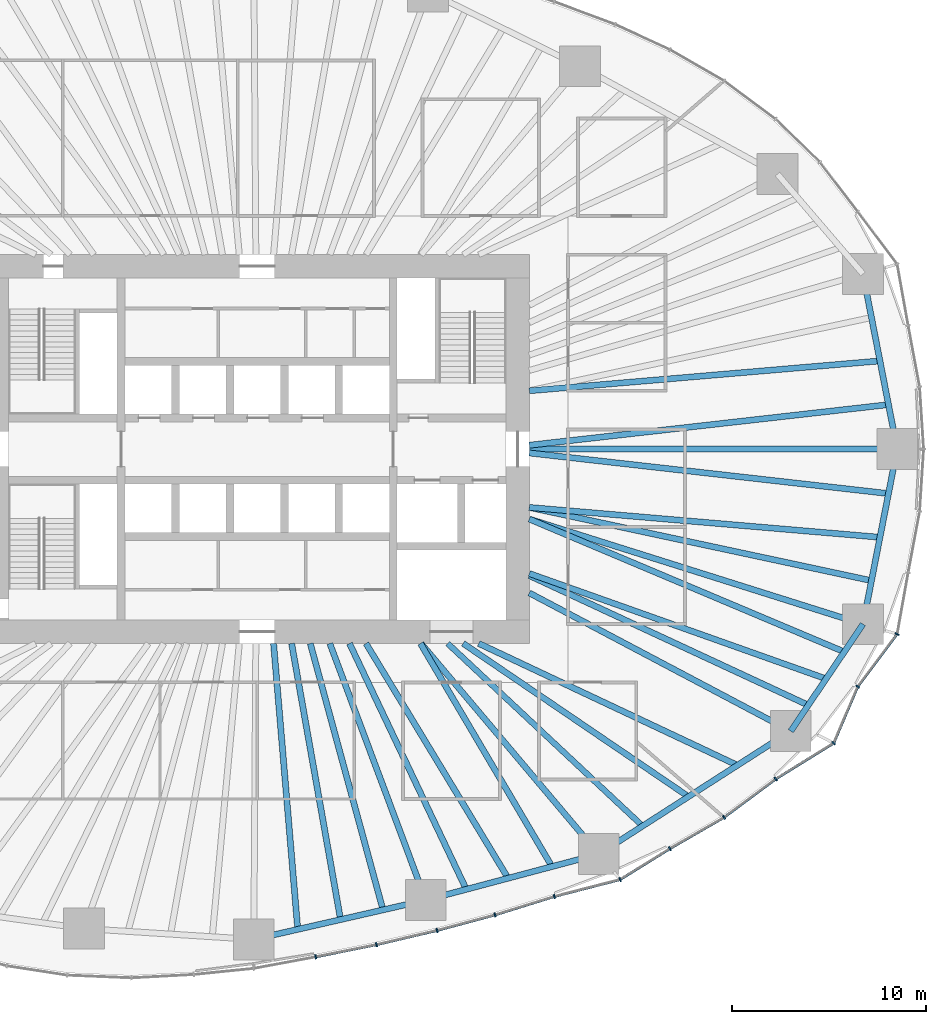
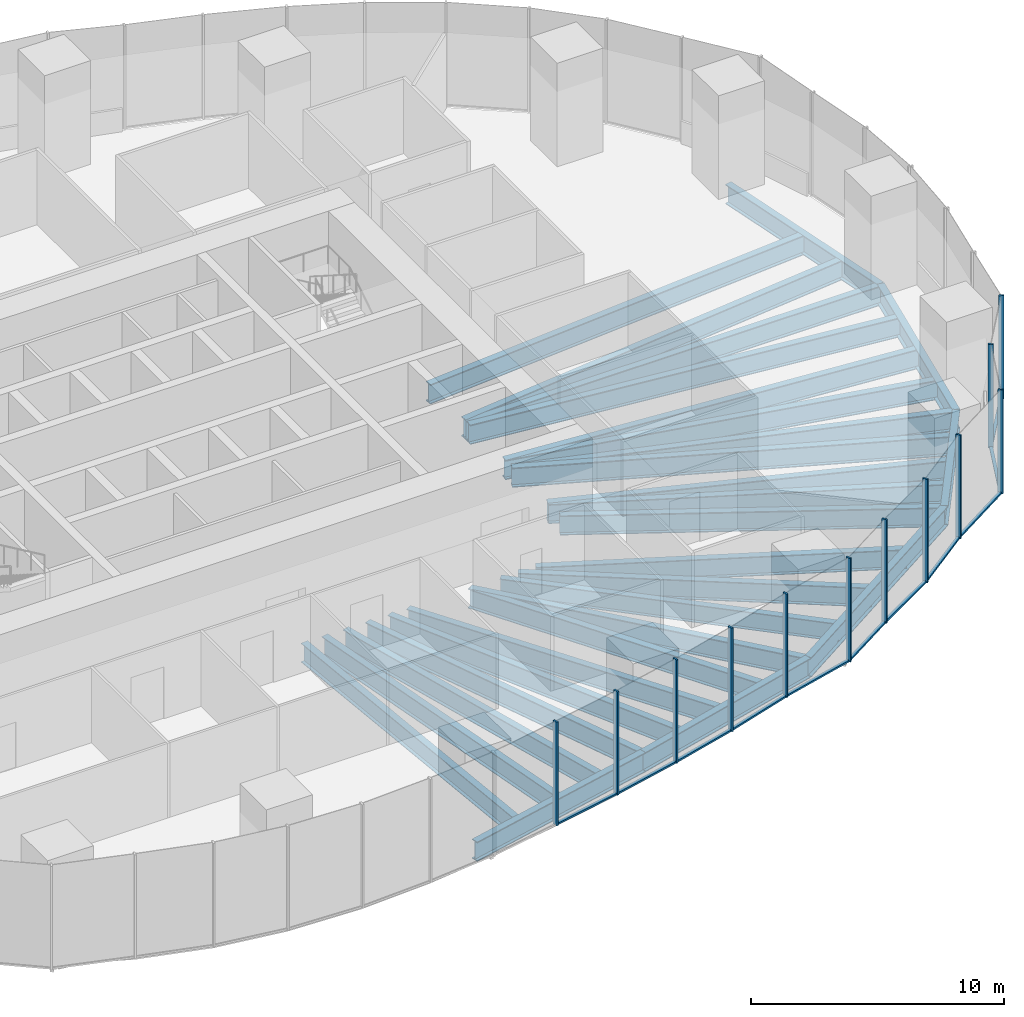
# One storey, part 4 of 20: 28 beams, 23 members, 5 elements without a shape of their own.
"""IFC4 building model written with IfcOpenShell, lengths in metres."""

from ifc_helpers import new_model, si_unit, direction, frame, origin, origin_2d, place, context, subcontext, project, spatial, rectangle, i_section, extrude, material, material_profile, profile_set, type_object, element, aggregate, save


model = new_model("IFC4")

# Units and contexts
model_context = context("Model", 3, precision=1e-05, world=origin(), true_north=direction((0.0, 1.0)))
body_context = subcontext(model_context, "Body", "Model", "MODEL_VIEW")
ifc_project = project(units=[si_unit("LENGTHUNIT", "METRE"), si_unit("AREAUNIT", "SQUARE_METRE"), si_unit("VOLUMEUNIT", "CUBIC_METRE"), si_unit("PLANEANGLEUNIT", "RADIAN"), si_unit("MASSUNIT", "GRAM", prefix="KILO")], contexts=[model_context])

# Site, building, storey
site_placement = place(None, origin())
site = spatial("IfcSite", under=ifc_project, at=site_placement, CompositionType="ELEMENT")
building_placement = place(site_placement, origin())
building = spatial("IfcBuilding", under=site, at=building_placement, Name="Ghaith Harvest Tower", CompositionType="ELEMENT")
storey_placement = place(building_placement, frame((0.0, 0.0, 20.0)))
storey = spatial("IfcBuildingStorey", under=building, at=storey_placement, Name="L04", CompositionType="ELEMENT", Elevation=20.0)

# Curtain wall, members
ifc_material_1 = material(Name="Black anodised aluminium and fritted glass", Category="aluminium")
curtain_wall_type = type_object("IfcCurtainWallType", Name="CW-F CURTAIN WALL", PredefinedType="NOTDEFINED", material=ifc_material_1)
curtain_wall_1_placement = place(storey_placement, origin())
curtain_wall_1 = element("IfcCurtainWall", 1, at=curtain_wall_1_placement, inside=storey, type_object=curtain_wall_type, Name="Curtain wall CW-F bay 16 L04", PredefinedType="NOTDEFINED")
ifc_material_2 = material(Name="Aluminium, black anodised", Category="aluminium")
ifc_material_profile_1 = material_profile(ifc_material_2, rectangle(XDim=0.080078125, YDim=0.219970703125, at=origin_2d()), Name="CW-F MULLION 80x220")
ifc_profile_set_1 = profile_set([ifc_material_profile_1], Name="Aluminium, black anodised")
member_type_1 = type_object("IfcMemberType", Name="CW-F MULLION 80x220", PredefinedType="MULLION", material=ifc_profile_set_1)
member_1_placement = place(storey_placement, frame((3.00927734375, -26.123291015625, 0.0), z_axis=(0.0, 0.0, 1.0), x_axis=(0.981818445714, 0.189822389762, 0.0)))
member_1 = element("IfcMember", 2, at=member_1_placement, type_object=member_type_1, Name="CW-F mullion 2 bay 16 L04", PredefinedType="MULLION", context=body_context, shape_type="SweptSolid", body=[
    extrude(rectangle(XDim=0.080078125, YDim=0.219970703125, at=origin_2d()), origin(), (0.0, 0.0, 1.0), 5.0),
])
member_2_placement = place(storey_placement, frame((6.136962890625, -25.495361328125, 0.0), z_axis=(0.0, 0.0, 1.0), x_axis=(0.977117973572, 0.212698062336, 0.0)))
member_2 = element("IfcMember", 3, at=member_2_placement, type_object=member_type_1, Name="CW-F mullion 3 bay 16 L04", PredefinedType="MULLION", context=body_context, shape_type="SweptSolid", body=[
    extrude(rectangle(XDim=0.080078125, YDim=0.219970703125, at=origin_2d()), origin(), (0.0, 0.0, 1.0), 5.0),
])

curtain_wall_2_placement = place(storey_placement, origin())
curtain_wall_2 = element("IfcCurtainWall", 4, at=curtain_wall_2_placement, inside=storey, type_object=curtain_wall_type, Name="Curtain wall CW-F bay 17 L04", PredefinedType="NOTDEFINED")
member_3_placement = place(storey_placement, frame((9.25732421875, -24.76318359375, 0.0), z_axis=(0.0, 0.0, 1.0), x_axis=(0.969903429248, 0.24348991341, 0.0)))
member_3 = element("IfcMember", 5, at=member_3_placement, type_object=member_type_1, Name="CW-F mullion 1 bay 17 L04", PredefinedType="MULLION", context=body_context, shape_type="SweptSolid", body=[
    extrude(rectangle(XDim=0.080078125, YDim=0.219970703125, at=origin_2d()), origin(), (0.0, 0.0, 1.0), 5.0),
])
member_4_placement = place(storey_placement, frame((12.234375, -23.964599609375, 0.0), z_axis=(0.0, 0.0, 1.0), x_axis=(0.960502189734, 0.278272426799, 0.0)))
member_4 = element("IfcMember", 6, at=member_4_placement, type_object=member_type_1, Name="CW-F mullion 2 bay 17 L04", PredefinedType="MULLION", context=body_context, shape_type="SweptSolid", body=[
    extrude(rectangle(XDim=0.080078125, YDim=0.219970703125, at=origin_2d()), origin(), (0.0, 0.0, 1.0), 5.0),
])
member_5_placement = place(storey_placement, frame((15.28759765625, -23.01611328125, 0.0), z_axis=(0.0, 0.0, 1.0), x_axis=(0.962313144018, 0.27194376781, 0.0)))
member_5 = element("IfcMember", 7, at=member_5_placement, type_object=member_type_1, Name="CW-F mullion 3 bay 17 L04", PredefinedType="MULLION", context=body_context, shape_type="SweptSolid", body=[
    extrude(rectangle(XDim=0.080078125, YDim=0.219970703125, at=origin_2d()), origin(), (0.0, 0.0, 1.0), 5.0),
])

curtain_wall_3_placement = place(storey_placement, origin())
curtain_wall_3 = element("IfcCurtainWall", 8, at=curtain_wall_3_placement, inside=storey, type_object=curtain_wall_type, Name="Curtain wall CW-F bay 18 L04", PredefinedType="NOTDEFINED")
member_6_placement = place(storey_placement, frame((18.674072265625, -22.144775390625, 0.0), z_axis=(0.0, 0.0, 1.0), x_axis=(0.923910199299, 0.382609387799, 0.0)))
member_6 = element("IfcMember", 9, at=member_6_placement, type_object=member_type_1, Name="CW-F mullion 1 bay 18 L04", PredefinedType="MULLION", context=body_context, shape_type="SweptSolid", body=[
    extrude(rectangle(XDim=0.080078125, YDim=0.219970703125, at=origin_2d()), origin(), (0.0, 0.0, 1.0), 5.0),
])
member_7_placement = place(storey_placement, frame((21.2353515625, -20.552978515625, 0.0), z_axis=(0.0, 0.0, 1.0), x_axis=(0.858140414942, 0.513415064293, 0.0)))
member_7 = element("IfcMember", 10, at=member_7_placement, type_object=member_type_1, Name="CW-F mullion 2 bay 18 L04", PredefinedType="MULLION", context=body_context, shape_type="SweptSolid", body=[
    extrude(rectangle(XDim=0.080078125, YDim=0.219970703125, at=origin_2d()), origin(), (0.0, 0.0, 1.0), 5.0),
])
member_8_placement = place(storey_placement, frame((24.018310546875, -18.947265625, 0.0), z_axis=(0.0, 0.0, 1.0), x_axis=(0.835443516838, 0.549576318788, 0.0)))
member_8 = element("IfcMember", 11, at=member_8_placement, type_object=member_type_1, Name="CW-F mullion 3 bay 18 L04", PredefinedType="MULLION", context=body_context, shape_type="SweptSolid", body=[
    extrude(rectangle(XDim=0.080078125, YDim=0.219970703125, at=origin_2d()), origin(), (0.0, 0.0, 1.0), 5.0),
])

curtain_wall_4_placement = place(storey_placement, origin())
curtain_wall_4 = element("IfcCurtainWall", 12, at=curtain_wall_4_placement, inside=storey, type_object=curtain_wall_type, Name="Curtain wall CW-F bay 19 L04", PredefinedType="NOTDEFINED")
member_9_placement = place(storey_placement, frame((26.673828125, -16.9755859375, 0.0), z_axis=(0.0, 0.0, 1.0), x_axis=(0.828002038115, 0.560725088504, 0.0)))
member_9 = element("IfcMember", 13, at=member_9_placement, type_object=member_type_1, Name="CW-F mullion 1 bay 19 L04", PredefinedType="MULLION", context=body_context, shape_type="SweptSolid", body=[
    extrude(rectangle(XDim=0.080078125, YDim=0.219970703125, at=origin_2d()), origin(), (0.0, 0.0, 1.0), 5.0),
])
member_10_placement = place(storey_placement, frame((29.659912109375, -15.126953125, 0.0), z_axis=(0.0, 0.0, 1.0), x_axis=(0.663604797505, 0.748083332743, 0.0)))
member_10 = element("IfcMember", 14, at=member_10_placement, type_object=member_type_1, Name="CW-F mullion 2 bay 19 L04", PredefinedType="MULLION", context=body_context, shape_type="SweptSolid", body=[
    extrude(rectangle(XDim=0.080078125, YDim=0.219970703125, at=origin_2d()), origin(), (0.0, 0.0, 1.0), 5.0),
])
member_11_placement = place(storey_placement, frame((30.896728515625, -12.215087890625, 0.0), z_axis=(0.0, 0.0, 1.0), x_axis=(0.5027946428, 0.864405892606, 0.0)))
member_11 = element("IfcMember", 15, at=member_11_placement, type_object=member_type_1, Name="CW-F mullion 3 bay 19 L04", PredefinedType="MULLION", context=body_context, shape_type="SweptSolid", body=[
    extrude(rectangle(XDim=0.080078125, YDim=0.219970703125, at=origin_2d()), origin(), (0.0, 0.0, 1.0), 5.0),
])

# Curtain wall, member
curtain_wall_5_placement = place(storey_placement, origin())
curtain_wall_5 = element("IfcCurtainWall", 16, at=curtain_wall_5_placement, inside=storey, type_object=curtain_wall_type, Name="Curtain wall CW-F bay 20 L04", PredefinedType="NOTDEFINED")
member_12_placement = place(storey_placement, frame((32.923583984375, -9.515625, 0.0), z_axis=(0.0, 0.0, 1.0), x_axis=(0.404701694001, 0.914448762301, 0.0)))
member_12 = element("IfcMember", 17, at=member_12_placement, type_object=member_type_1, Name="CW-F mullion 1 bay 20 L04", PredefinedType="MULLION", context=body_context, shape_type="SweptSolid", body=[
    extrude(rectangle(XDim=0.080078125, YDim=0.219970703125, at=origin_2d()), origin(), (0.0, 0.0, 1.0), 5.0),
])
aggregate(curtain_wall_5, [member_12])

# Member
ifc_material_3 = material(Name="Aluminium, black anodised", Category="aluminium")
ifc_material_profile_2 = material_profile(ifc_material_3, rectangle(XDim=0.139892578125, YDim=0.080078125, at=origin_2d()), Name="CW-F TRANSOM 140x80")
ifc_profile_set_2 = profile_set([ifc_material_profile_2], Name="Aluminium, black anodised")
member_type_2 = type_object("IfcMemberType", Name="CW-F TRANSOM 140x80", PredefinedType="USERDEFINED", material=ifc_profile_set_2)
member_13_placement = place(storey_placement, frame((3.04833984375, -26.115478515625, 0.0400390625), z_axis=(0.980432471193, 0.196855707129, 0.0), x_axis=(-0.196855707129, 0.980432471193, 0.0)))
member_13 = element("IfcMember", 18, at=member_13_placement, type_object=member_type_2, Name="CW-F transom 2 bay 16 L04", ObjectType="TRANSOM", PredefinedType="USERDEFINED", context=body_context, shape_type="SweptSolid", body=[
    extrude(rectangle(XDim=0.139892578125, YDim=0.080078125, at=origin_2d()), origin(), (0.0, 0.0, 1.0), 3.1103515625),
])

member_14_placement = place(storey_placement, frame((6.176025390625, -25.486083984375, 0.0400390625), z_axis=(0.973560415159, 0.228429678537, 0.0), x_axis=(-0.228429678537, 0.973560415159, 0.0)))
member_14 = element("IfcMember", 19, at=member_14_placement, type_object=member_type_2, Name="CW-F transom 3 bay 16 L04", ObjectType="TRANSOM", PredefinedType="USERDEFINED", context=body_context, shape_type="SweptSolid", body=[
    extrude(rectangle(XDim=0.139892578125, YDim=0.080078125, at=origin_2d()), origin(), (0.0, 0.0, 1.0), 3.125),
])

aggregate(curtain_wall_1, [member_1, member_13, member_2, member_14])

member_15_placement = place(storey_placement, frame((9.2958984375, -24.7529296875, 0.0400390625), z_axis=(0.965832908495, 0.259165570377, 0.0), x_axis=(-0.259165570377, 0.965832908495, 0.0)))
member_15 = element("IfcMember", 20, at=member_15_placement, type_object=member_type_2, Name="CW-F transom 1 bay 17 L04", ObjectType="TRANSOM", PredefinedType="USERDEFINED", context=body_context, shape_type="SweptSolid", body=[
    extrude(rectangle(XDim=0.139892578125, YDim=0.080078125, at=origin_2d()), origin(), (0.0, 0.0, 1.0), 3.002197265625),
])

member_16_placement = place(storey_placement, frame((12.2724609375, -23.95263671875, 0.0400390625), z_axis=(0.954998362353, 0.296611071781, 0.0), x_axis=(-0.296611071781, 0.954998362353, 0.0)))
member_16 = element("IfcMember", 21, at=member_16_placement, type_object=member_type_2, Name="CW-F transom 2 bay 17 L04", ObjectType="TRANSOM", PredefinedType="USERDEFINED", context=body_context, shape_type="SweptSolid", body=[
    extrude(rectangle(XDim=0.139892578125, YDim=0.080078125, at=origin_2d()), origin(), (0.0, 0.0, 1.0), 3.1171875),
])

member_17_placement = place(storey_placement, frame((15.326171875, -23.006103515625, 0.0400390625), z_axis=(0.968463874592, 0.249154015841, 0.0), x_axis=(-0.249154015841, 0.968463874592, 0.0)))
member_17 = element("IfcMember", 22, at=member_17_placement, type_object=member_type_2, Name="CW-F transom 3 bay 17 L04", ObjectType="TRANSOM", PredefinedType="USERDEFINED", context=body_context, shape_type="SweptSolid", body=[
    extrude(rectangle(XDim=0.139892578125, YDim=0.080078125, at=origin_2d()), origin(), (0.0, 0.0, 1.0), 3.416748046875),
])

aggregate(curtain_wall_2, [member_3, member_15, member_4, member_16, member_5, member_17])

member_18_placement = place(storey_placement, frame((18.7080078125, -22.12353515625, 0.0400390625), z_axis=(0.849383069026, 0.527776848726, 0.0), x_axis=(-0.527776848726, 0.849383069026, 0.0)))
member_18 = element("IfcMember", 23, at=member_18_placement, type_object=member_type_2, Name="CW-F transom 1 bay 18 L04", ObjectType="TRANSOM", PredefinedType="USERDEFINED", context=body_context, shape_type="SweptSolid", body=[
    extrude(rectangle(XDim=0.139892578125, YDim=0.080078125, at=origin_2d()), origin(), (0.0, 0.0, 1.0), 2.935546875),
])

member_19_placement = place(storey_placement, frame((21.27001953125, -20.532958984375, 0.0400390625), z_axis=(0.866168719914, 0.499751686983, 0.0), x_axis=(-0.499751686983, 0.866168719914, 0.0)))
member_19 = element("IfcMember", 24, at=member_19_placement, type_object=member_type_2, Name="CW-F transom 2 bay 18 L04", ObjectType="TRANSOM", PredefinedType="USERDEFINED", context=body_context, shape_type="SweptSolid", body=[
    extrude(rectangle(XDim=0.139892578125, YDim=0.080078125, at=origin_2d()), origin(), (0.0, 0.0, 1.0), 3.1328125),
])

member_20_placement = place(storey_placement, frame((24.050537109375, -18.92333984375, 0.0400390625), z_axis=(0.802877287823, 0.596144328748, 0.0), x_axis=(-0.596144328748, 0.802877287823, 0.0)))
member_20 = element("IfcMember", 25, at=member_20_placement, type_object=member_type_2, Name="CW-F transom 3 bay 18 L04", ObjectType="TRANSOM", PredefinedType="USERDEFINED", context=body_context, shape_type="SweptSolid", body=[
    extrude(rectangle(XDim=0.139892578125, YDim=0.080078125, at=origin_2d()), origin(), (0.0, 0.0, 1.0), 3.2275390625),
])

aggregate(curtain_wall_3, [member_6, member_18, member_7, member_19, member_8, member_20])

member_21_placement = place(storey_placement, frame((26.707763671875, -16.954345703125, 0.0400390625), z_axis=(0.850260598386, 0.526361961802, 0.0), x_axis=(-0.526361961802, 0.850260598386, 0.0)))
member_21 = element("IfcMember", 26, at=member_21_placement, type_object=member_type_2, Name="CW-F transom 1 bay 19 L04", ObjectType="TRANSOM", PredefinedType="USERDEFINED", context=body_context, shape_type="SweptSolid", body=[
    extrude(rectangle(XDim=0.139892578125, YDim=0.080078125, at=origin_2d()), origin(), (0.0, 0.0, 1.0), 3.431884765625),
])

member_22_placement = place(storey_placement, frame((29.675537109375, -15.090087890625, 0.0400390625), z_axis=(0.390936107494, 0.92041781809, 0.0), x_axis=(-0.92041781809, 0.390936107494, 0.0)))
member_22 = element("IfcMember", 27, at=member_22_placement, type_object=member_type_2, Name="CW-F transom 2 bay 19 L04", ObjectType="TRANSOM", PredefinedType="USERDEFINED", context=body_context, shape_type="SweptSolid", body=[
    extrude(rectangle(XDim=0.139892578125, YDim=0.080078125, at=origin_2d()), origin(), (0.0, 0.0, 1.0), 3.083740234375),
])

member_23_placement = place(storey_placement, frame((30.920654296875, -12.18310546875, 0.0400390625), z_axis=(0.600462135687, 0.799653189581, 0.0), x_axis=(-0.799653189581, 0.600462135687, 0.0)))
member_23 = element("IfcMember", 28, at=member_23_placement, type_object=member_type_2, Name="CW-F transom 3 bay 19 L04", ObjectType="TRANSOM", PredefinedType="USERDEFINED", context=body_context, shape_type="SweptSolid", body=[
    extrude(rectangle(XDim=0.139892578125, YDim=0.080078125, at=origin_2d()), origin(), (0.0, 0.0, 1.0), 3.2958984375),
])

aggregate(curtain_wall_4, [member_9, member_21, member_10, member_22, member_11, member_23])

# Beams
ifc_material_4 = material(Name="Steel ASTM A992 Grade 50", Category="steel")
ifc_material_profile_3 = material_profile(ifc_material_4, i_section(OverallWidth=0.306884765625, OverallDepth=0.94189453125, WebThickness=0.022216796875, FlangeThickness=0.039794921875, at=origin_2d()), Name="W920X345")
ifc_profile_set_3 = profile_set([ifc_material_profile_3], Name="Steel ASTM A992 Grade 50")
beam_type_1 = type_object("IfcBeamType", Name="E920-345 W920X345", PredefinedType="SPANDREL", material=ifc_profile_set_3)
beam_1_placement = place(storey_placement, frame((32.925048828125, 0.0, -0.6708984375), z_axis=(-0.191653479461, 0.981462655332, 0.0), x_axis=(-0.981462655332, -0.191653479461, 0.0)))
element("IfcBeam", 29, at=beam_1_placement, inside=storey, type_object=beam_type_1, Name="Edge beam E01 L04", PredefinedType="SPANDREL", context=body_context, shape_type="SweptSolid", body=[
    extrude(i_section(OverallWidth=0.306884765625, OverallDepth=0.94189453125, WebThickness=0.022216796875, FlangeThickness=0.039794921875, at=origin_2d()), origin(), (0.0, 0.0, 1.0), 9.17822265625),
])
beam_2_placement = place(storey_placement, frame((-0.173095703125, -25.22412109375, -0.6708984375), z_axis=(0.974881709383, 0.22272326486, 0.0), x_axis=(-0.22272326486, 0.974881709383, 0.0)))
element("IfcBeam", 30, at=beam_2_placement, inside=storey, type_object=beam_type_1, Name="Edge beam E16 L04", PredefinedType="SPANDREL", context=body_context, shape_type="SweptSolid", body=[
    extrude(i_section(OverallWidth=0.306884765625, OverallDepth=0.94189453125, WebThickness=0.022216796875, FlangeThickness=0.039794921875, at=origin_2d()), origin(), (0.0, 0.0, 1.0), 9.0751953125),
])
beam_3_placement = place(storey_placement, frame((8.674072265625, -23.202880859375, -0.6708984375), z_axis=(0.966419097109, 0.256971065963, 0.0), x_axis=(-0.256971065963, 0.966419097109, 0.0)))
element("IfcBeam", 31, at=beam_3_placement, inside=storey, type_object=beam_type_1, Name="Edge beam E17 L04", PredefinedType="SPANDREL", context=body_context, shape_type="SweptSolid", body=[
    extrude(i_section(OverallWidth=0.306884765625, OverallDepth=0.94189453125, WebThickness=0.022216796875, FlangeThickness=0.039794921875, at=origin_2d()), origin(), (0.0, 0.0, 1.0), 9.20703125),
])
beam_4_placement = place(storey_placement, frame((17.572021484375, -20.8369140625, -0.6708984375), z_axis=(0.842014649705, 0.539454659524, 0.0), x_axis=(-0.539454659524, 0.842014649705, 0.0)))
element("IfcBeam", 32, at=beam_4_placement, inside=storey, type_object=beam_type_1, Name="Edge beam E18 L04", PredefinedType="SPANDREL", context=body_context, shape_type="SweptSolid", body=[
    extrude(i_section(OverallWidth=0.306884765625, OverallDepth=0.94189453125, WebThickness=0.022216796875, FlangeThickness=0.039794921875, at=origin_2d()), origin(), (0.0, 0.0, 1.0), 11.730224609375),
])
beam_5_placement = place(storey_placement, frame((27.448974609375, -14.509033203125, -0.6708984375), z_axis=(0.559874470017, 0.828577442261, 0.0), x_axis=(-0.828577442261, 0.559874470017, 0.0)))
element("IfcBeam", 33, at=beam_5_placement, inside=storey, type_object=beam_type_1, Name="Edge beam E19 L04", PredefinedType="SPANDREL", context=body_context, shape_type="SweptSolid", body=[
    extrude(i_section(OverallWidth=0.306884765625, OverallDepth=0.94189453125, WebThickness=0.022216796875, FlangeThickness=0.039794921875, at=origin_2d()), origin(), (0.0, 0.0, 1.0), 6.63916015625),
])
beam_6_placement = place(storey_placement, frame((31.166015625, -9.008056640625, -0.6708984375), z_axis=(0.191653479461, 0.981462655332, 0.0), x_axis=(-0.981462655332, 0.191653479461, 0.0)))
element("IfcBeam", 34, at=beam_6_placement, inside=storey, type_object=beam_type_1, Name="Edge beam E20 L04", PredefinedType="SPANDREL", context=body_context, shape_type="SweptSolid", body=[
    extrude(i_section(OverallWidth=0.306884765625, OverallDepth=0.94189453125, WebThickness=0.022216796875, FlangeThickness=0.039794921875, at=origin_2d()), origin(), (0.0, 0.0, 1.0), 9.17822265625),
])
ifc_material_5 = material(Name="Steel ASTM A992 Grade 50", Category="steel")
ifc_material_profile_4 = material_profile(ifc_material_5, i_section(OverallWidth=0.306884765625, OverallDepth=0.94189453125, WebThickness=0.022216796875, FlangeThickness=0.039794921875, at=origin_2d()), Name="W920X345")
ifc_profile_set_4 = profile_set([ifc_material_profile_4], Name="Steel ASTM A992 Grade 50")
beam_type_2 = type_object("IfcBeamType", Name="G920-345 W920X345", PredefinedType="BEAM", material=ifc_profile_set_4)
beam_7_placement = place(storey_placement, frame((14.0, 0.0, -0.6708984375), z_axis=(1.0, 0.0, 0.0), x_axis=(0.0, 1.0, 0.0)))
element("IfcBeam", 35, at=beam_7_placement, inside=storey, type_object=beam_type_2, Name="Radial girder G01 L04", PredefinedType="BEAM", context=body_context, shape_type="SweptSolid", body=[
    extrude(i_section(OverallWidth=0.306884765625, OverallDepth=0.94189453125, WebThickness=0.022216796875, FlangeThickness=0.039794921875, at=origin_2d()), origin(), (0.0, 0.0, 1.0), 18.925048828125),
])
beam_8_placement = place(storey_placement, frame((3.73828125, -10.0, -0.6708984375), z_axis=(0.350172283717, -0.936685310932, 0.0), x_axis=(0.936685310932, 0.350172283717, 0.0)))
element("IfcBeam", 36, at=beam_8_placement, inside=storey, type_object=beam_type_2, Name="Radial girder G17 L04", PredefinedType="BEAM", context=body_context, shape_type="SweptSolid", body=[
    extrude(i_section(OverallWidth=0.306884765625, OverallDepth=0.94189453125, WebThickness=0.022216796875, FlangeThickness=0.039794921875, at=origin_2d()), origin(), (0.0, 0.0, 1.0), 14.09521484375),
])
beam_9_placement = place(storey_placement, frame((8.4326171875, -10.0, -0.6708984375), z_axis=(0.644696130938, -0.764438943771, 0.0), x_axis=(0.764438943771, 0.644696130938, 0.0)))
element("IfcBeam", 37, at=beam_9_placement, inside=storey, type_object=beam_type_2, Name="Radial girder G18 L04", PredefinedType="BEAM", context=body_context, shape_type="SweptSolid", body=[
    extrude(i_section(OverallWidth=0.306884765625, OverallDepth=0.94189453125, WebThickness=0.022216796875, FlangeThickness=0.039794921875, at=origin_2d()), origin(), (0.0, 0.0, 1.0), 14.17626953125),
])
beam_10_placement = place(storey_placement, frame((14.0, -7.39990234375, -0.6708984375), z_axis=(0.884084425997, -0.467327216959, 0.0), x_axis=(0.467327216959, 0.884084425997, 0.0)))
element("IfcBeam", 38, at=beam_10_placement, inside=storey, type_object=beam_type_2, Name="Radial girder G19 L04", PredefinedType="BEAM", context=body_context, shape_type="SweptSolid", body=[
    extrude(i_section(OverallWidth=0.306884765625, OverallDepth=0.94189453125, WebThickness=0.022216796875, FlangeThickness=0.039794921875, at=origin_2d()), origin(), (0.0, 0.0, 1.0), 15.21240234375),
])
beam_11_placement = place(storey_placement, frame((14.0, -3.60009765625, -0.6708984375), z_axis=(0.953788071692, -0.300480139607, 0.0), x_axis=(0.300480139607, 0.953788071692, 0.0)))
element("IfcBeam", 39, at=beam_11_placement, inside=storey, type_object=beam_type_2, Name="Radial girder G20 L04", PredefinedType="BEAM", context=body_context, shape_type="SweptSolid", body=[
    extrude(i_section(OverallWidth=0.306884765625, OverallDepth=0.94189453125, WebThickness=0.022216796875, FlangeThickness=0.039794921875, at=origin_2d()), origin(), (0.0, 0.0, 1.0), 17.997802734375),
])
ifc_material_6 = material(Name="Steel ASTM A992 Grade 50", Category="steel")
ifc_material_profile_5 = material_profile(ifc_material_6, i_section(OverallWidth=0.2939453125, OverallDepth=0.85107421875, WebThickness=0.01611328125, FlangeThickness=0.02685546875, at=origin_2d()), Name="W840X226")
ifc_profile_set_5 = profile_set([ifc_material_profile_5], Name="Steel ASTM A992 Grade 50")
beam_type_3 = type_object("IfcBeamType", Name="J840-226 W840X226", PredefinedType="JOIST", material=ifc_profile_set_5)
beam_12_placement = place(storey_placement, frame((9.800048828125, -10.0, -0.62548828125), z_axis=(0.72994990542, -0.683500647825, 0.0), x_axis=(0.683500647825, 0.72994990542, 0.0)))
element("IfcBeam", 40, at=beam_12_placement, inside=storey, type_object=beam_type_3, Name="Joist J18.1 L04", PredefinedType="JOIST", context=body_context, shape_type="SweptSolid", body=[
    extrude(i_section(OverallWidth=0.2939453125, OverallDepth=0.85107421875, WebThickness=0.01611328125, FlangeThickness=0.02685546875, at=origin_2d()), origin(), (0.0, 0.0, 1.0), 13.7392578125),
])
ifc_material_7 = material(Name="Steel ASTM A992 Grade 50", Category="steel")
ifc_material_profile_6 = material_profile(ifc_material_7, i_section(OverallWidth=0.31005859375, OverallDepth=0.927001953125, WebThickness=0.019287109375, FlangeThickness=0.031982421875, at=origin_2d()), Name="W920X289")
ifc_profile_set_6 = profile_set([ifc_material_profile_6], Name="Steel ASTM A992 Grade 50")
beam_type_4 = type_object("IfcBeamType", Name="J920-289 W920X289", PredefinedType="JOIST", material=ifc_profile_set_6)
beam_13_placement = place(storey_placement, frame((0.844970703125, -10.0, -0.66357421875), z_axis=(0.084208979751, -0.996448115924, 0.0), x_axis=(0.996448115924, 0.084208979751, 0.0)))
element("IfcBeam", 41, at=beam_13_placement, inside=storey, type_object=beam_type_4, Name="Joist J16.1 L04", PredefinedType="JOIST", context=body_context, shape_type="SweptSolid", body=[
    extrude(i_section(OverallWidth=0.31005859375, OverallDepth=0.927001953125, WebThickness=0.019287109375, FlangeThickness=0.031982421875, at=origin_2d()), origin(), (0.0, 0.0, 1.0), 14.760009765625),
])
beam_14_placement = place(storey_placement, frame((1.772705078125, -10.0, -0.66357421875), z_axis=(0.174552818486, -0.98464781194, 0.0), x_axis=(0.98464781194, 0.174552818486, 0.0)))
element("IfcBeam", 42, at=beam_14_placement, inside=storey, type_object=beam_type_4, Name="Joist J16.2 L04", PredefinedType="JOIST", context=body_context, shape_type="SweptSolid", body=[
    extrude(i_section(OverallWidth=0.31005859375, OverallDepth=0.927001953125, WebThickness=0.019287109375, FlangeThickness=0.031982421875, at=origin_2d()), origin(), (0.0, 0.0, 1.0), 14.42578125),
])
beam_15_placement = place(storey_placement, frame((2.73095703125, -10.0, -0.66357421875), z_axis=(0.263463446032, -0.964669379946, 0.0), x_axis=(0.964669379946, 0.263463446032, 0.0)))
element("IfcBeam", 43, at=beam_15_placement, inside=storey, type_object=beam_type_4, Name="Joist J16.3 L04", PredefinedType="JOIST", context=body_context, shape_type="SweptSolid", body=[
    extrude(i_section(OverallWidth=0.31005859375, OverallDepth=0.927001953125, WebThickness=0.019287109375, FlangeThickness=0.031982421875, at=origin_2d()), origin(), (0.0, 0.0, 1.0), 14.20751953125),
])
beam_16_placement = place(storey_placement, frame((4.75, -10.0, -0.66357421875), z_axis=(0.429067127754, -0.903272605519, 0.0), x_axis=(0.903272605519, 0.429067127754, 0.0)))
element("IfcBeam", 44, at=beam_16_placement, inside=storey, type_object=beam_type_4, Name="Joist J17.1 L04", PredefinedType="JOIST", context=body_context, shape_type="SweptSolid", body=[
    extrude(i_section(OverallWidth=0.31005859375, OverallDepth=0.927001953125, WebThickness=0.019287109375, FlangeThickness=0.031982421875, at=origin_2d()), origin(), (0.0, 0.0, 1.0), 14.003173828125),
])
beam_17_placement = place(storey_placement, frame((5.60009765625, -10.0, -0.66357421875), z_axis=(0.517828660199, -0.855484353262, 0.0), x_axis=(0.855484353262, 0.517828660199, 0.0)))
element("IfcBeam", 45, at=beam_17_placement, inside=storey, type_object=beam_type_4, Name="Joist J17.2 L04", PredefinedType="JOIST", context=body_context, shape_type="SweptSolid", body=[
    extrude(i_section(OverallWidth=0.31005859375, OverallDepth=0.927001953125, WebThickness=0.019287109375, FlangeThickness=0.031982421875, at=origin_2d()), origin(), (0.0, 0.0, 1.0), 14.11669921875),
])
beam_18_placement = place(storey_placement, frame((8.39990234375, -10.0, -0.66357421875), z_axis=(0.507894375661, -0.861419353841, 0.0), x_axis=(0.861419353841, 0.507894375661, 0.0)))
element("IfcBeam", 46, at=beam_18_placement, inside=storey, type_object=beam_type_4, Name="Joist J17.3 L04", PredefinedType="JOIST", context=body_context, shape_type="SweptSolid", body=[
    extrude(i_section(OverallWidth=0.31005859375, OverallDepth=0.927001953125, WebThickness=0.019287109375, FlangeThickness=0.031982421875, at=origin_2d()), origin(), (0.0, 0.0, 1.0), 13.32275390625),
])
beam_19_placement = place(storey_placement, frame((10.60009765625, -10.0, -0.66357421875), z_axis=(0.826982555637, -0.562227580853, 0.0), x_axis=(0.562227580853, 0.826982555637, 0.0)))
element("IfcBeam", 47, at=beam_19_placement, inside=storey, type_object=beam_type_4, Name="Joist J18.2 L04", PredefinedType="JOIST", context=body_context, shape_type="SweptSolid", body=[
    extrude(i_section(OverallWidth=0.31005859375, OverallDepth=0.927001953125, WebThickness=0.019287109375, FlangeThickness=0.031982421875, at=origin_2d()), origin(), (0.0, 0.0, 1.0), 14.013671875),
])
beam_20_placement = place(storey_placement, frame((11.39990234375, -10.0, -0.66357421875), z_axis=(0.904709580205, -0.426028843489, 0.0), x_axis=(0.426028843489, 0.904709580205, 0.0)))
element("IfcBeam", 48, at=beam_20_placement, inside=storey, type_object=beam_type_4, Name="Joist J18.3 L04", PredefinedType="JOIST", context=body_context, shape_type="SweptSolid", body=[
    extrude(i_section(OverallWidth=0.31005859375, OverallDepth=0.927001953125, WebThickness=0.019287109375, FlangeThickness=0.031982421875, at=origin_2d()), origin(), (0.0, 0.0, 1.0), 14.708251953125),
])
beam_21_placement = place(storey_placement, frame((14.0, -6.506103515625, -0.66357421875), z_axis=(0.906865804441, -0.421419521067, 0.0), x_axis=(0.421419521067, 0.906865804441, 0.0)))
element("IfcBeam", 49, at=beam_21_placement, inside=storey, type_object=beam_type_4, Name="Joist J19.1 L04", PredefinedType="JOIST", context=body_context, shape_type="SweptSolid", body=[
    extrude(i_section(OverallWidth=0.31005859375, OverallDepth=0.927001953125, WebThickness=0.019287109375, FlangeThickness=0.031982421875, at=origin_2d()), origin(), (0.0, 0.0, 1.0), 15.824462890625),
])
ifc_material_8 = material(Name="Steel ASTM A992 Grade 50", Category="steel")
ifc_material_profile_7 = material_profile(ifc_material_8, i_section(OverallWidth=0.306884765625, OverallDepth=0.94189453125, WebThickness=0.022216796875, FlangeThickness=0.039794921875, at=origin_2d()), Name="W920X345")
ifc_profile_set_7 = profile_set([ifc_material_profile_7], Name="Steel ASTM A992 Grade 50")
beam_type_5 = type_object("IfcBeamType", Name="J920-345 W920X345", PredefinedType="JOIST", material=ifc_profile_set_7)
beam_22_placement = place(storey_placement, frame((14.0, 0.199951171875, -0.6708984375), z_axis=(0.993675458798, 0.112290171352, 0.0), x_axis=(-0.112290171352, 0.993675458798, 0.0)))
element("IfcBeam", 50, at=beam_22_placement, inside=storey, type_object=beam_type_5, Name="Joist J01.1 L04", PredefinedType="JOIST", context=body_context, shape_type="SweptSolid", body=[
    extrude(i_section(OverallWidth=0.306884765625, OverallDepth=0.94189453125, WebThickness=0.022216796875, FlangeThickness=0.039794921875, at=origin_2d()), origin(), (0.0, 0.0, 1.0), 18.595947265625),
])
beam_23_placement = place(storey_placement, frame((14.0, 3.0, -0.6708984375), z_axis=(0.996389274474, 0.084902377546, 0.0), x_axis=(-0.084902377546, 0.996389274474, 0.0)))
element("IfcBeam", 51, at=beam_23_placement, inside=storey, type_object=beam_type_5, Name="Joist J01.2 L04", PredefinedType="JOIST", context=body_context, shape_type="SweptSolid", body=[
    extrude(i_section(OverallWidth=0.306884765625, OverallDepth=0.94189453125, WebThickness=0.022216796875, FlangeThickness=0.039794921875, at=origin_2d()), origin(), (0.0, 0.0, 1.0), 18.1044921875),
])
beam_24_placement = place(storey_placement, frame((14.0, -6.39990234375, -0.6708984375), z_axis=(0.942399857711, -0.334488427581, 0.0), x_axis=(0.334488427581, 0.942399857711, 0.0)))
element("IfcBeam", 52, at=beam_24_placement, inside=storey, type_object=beam_type_5, Name="Joist J19.2 L04", PredefinedType="JOIST", context=body_context, shape_type="SweptSolid", body=[
    extrude(i_section(OverallWidth=0.306884765625, OverallDepth=0.94189453125, WebThickness=0.022216796875, FlangeThickness=0.039794921875, at=origin_2d()), origin(), (0.0, 0.0, 1.0), 16.199951171875),
])
beam_25_placement = place(storey_placement, frame((14.0, -3.60009765625, -0.6708984375), z_axis=(0.921432978784, -0.388537341333, 0.0), x_axis=(0.388537341333, 0.921432978784, 0.0)))
element("IfcBeam", 53, at=beam_25_placement, inside=storey, type_object=beam_type_5, Name="Joist J19.3 L04", PredefinedType="JOIST", context=body_context, shape_type="SweptSolid", body=[
    extrude(i_section(OverallWidth=0.306884765625, OverallDepth=0.94189453125, WebThickness=0.022216796875, FlangeThickness=0.039794921875, at=origin_2d()), origin(), (0.0, 0.0, 1.0), 17.585205078125),
])
beam_26_placement = place(storey_placement, frame((14.0, -3.0, -0.6708984375), z_axis=(0.977831380626, -0.209393865869, 0.0), x_axis=(0.209393865869, 0.977831380626, 0.0)))
element("IfcBeam", 54, at=beam_26_placement, inside=storey, type_object=beam_type_5, Name="Joist J20.1 L04", PredefinedType="JOIST", context=body_context, shape_type="SweptSolid", body=[
    extrude(i_section(OverallWidth=0.306884765625, OverallDepth=0.94189453125, WebThickness=0.022216796875, FlangeThickness=0.039794921875, at=origin_2d()), origin(), (0.0, 0.0, 1.0), 18.002197265625),
])
beam_27_placement = place(storey_placement, frame((14.0, -3.0, -0.6708984375), z_axis=(0.996389274474, -0.084902377546, 0.0), x_axis=(0.084902377546, 0.996389274474, 0.0)))
element("IfcBeam", 55, at=beam_27_placement, inside=storey, type_object=beam_type_5, Name="Joist J20.2 L04", PredefinedType="JOIST", context=body_context, shape_type="SweptSolid", body=[
    extrude(i_section(OverallWidth=0.306884765625, OverallDepth=0.94189453125, WebThickness=0.022216796875, FlangeThickness=0.039794921875, at=origin_2d()), origin(), (0.0, 0.0, 1.0), 18.1044921875),
])
beam_28_placement = place(storey_placement, frame((14.0, -0.199951171875, -0.6708984375), z_axis=(0.993675458798, -0.112290171352, 0.0), x_axis=(0.112290171352, 0.993675458798, 0.0)))
element("IfcBeam", 56, at=beam_28_placement, inside=storey, type_object=beam_type_5, Name="Joist J20.3 L04", PredefinedType="JOIST", context=body_context, shape_type="SweptSolid", body=[
    extrude(i_section(OverallWidth=0.306884765625, OverallDepth=0.94189453125, WebThickness=0.022216796875, FlangeThickness=0.039794921875, at=origin_2d()), origin(), (0.0, 0.0, 1.0), 18.595947265625),
])

save(model, "model.ifc")
